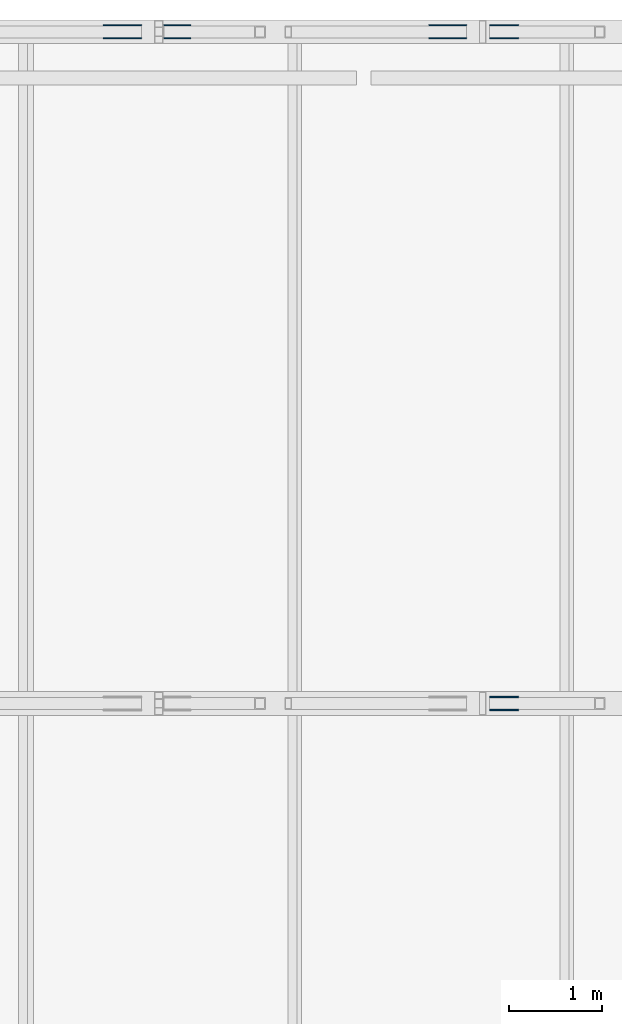
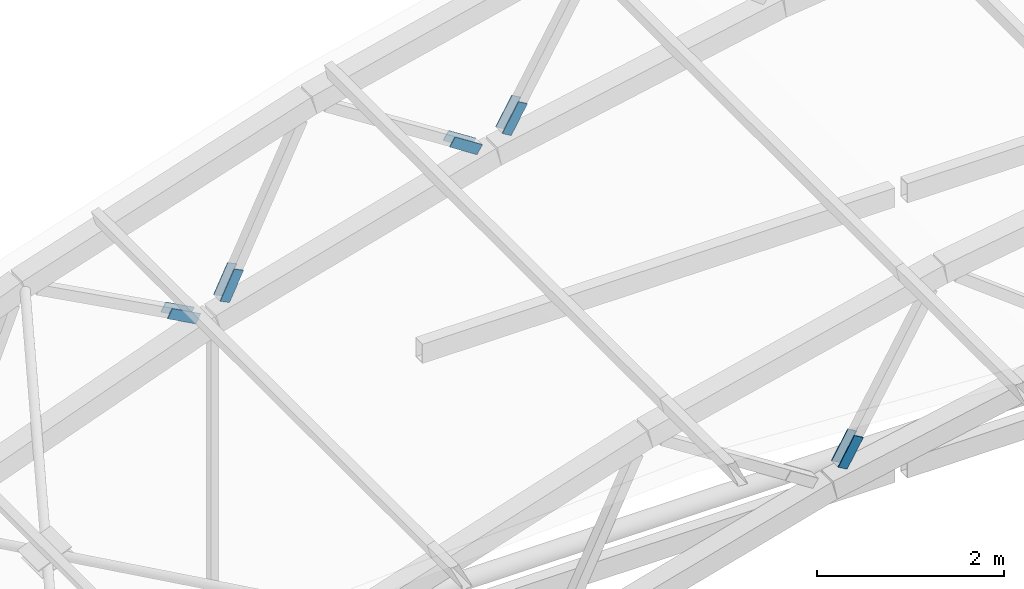
# One storey, part 110 of 127: 10 discrete accessories.
"""IFC4 building model written with IfcOpenShell, lengths in metres."""

from ifc_helpers import new_model, si_unit, direction, frame, origin, origin_2d, place, context, subcontext, project, spatial, rectangle, extrude, material, material_profile, profile_set, type_object, element, save


model = new_model("IFC4")

# Units and contexts
model_context = context("Model", 3, precision=1e-05, world=origin(), true_north=direction((0.0, 1.0)))
body_context = subcontext(model_context, "Body", "Model", "MODEL_VIEW")
ifc_project = project(units=[si_unit("LENGTHUNIT", "METRE"), si_unit("AREAUNIT", "SQUARE_METRE"), si_unit("VOLUMEUNIT", "CUBIC_METRE"), si_unit("PLANEANGLEUNIT", "RADIAN"), si_unit("MASSUNIT", "GRAM", prefix="KILO")], contexts=[model_context])

# Site, building, storey
site_placement = place(None, origin())
site = spatial("IfcSite", under=ifc_project, at=site_placement, CompositionType="ELEMENT")
building_placement = place(site_placement, origin())
building = spatial("IfcBuilding", under=site, at=building_placement, Name="Verrick Yard Athletic Hall", CompositionType="ELEMENT")
storey_placement = place(building_placement, frame((0.0, 0.0, 14.0)))
storey = spatial("IfcBuildingStorey", under=building, at=storey_placement, Name="L03", CompositionType="ELEMENT", Elevation=14.0)

# Discrete accessories
ifc_material = material(Name="Structural steel 350W (CSA G40.21)", Category="steel")
ifc_material_profile = material_profile(ifc_material, rectangle(XDim=0.39990234375, YDim=0.126953125, at=origin_2d()), Name="Brace end cheek plate")
ifc_profile_set = profile_set([ifc_material_profile], Name="Structural steel 350W (CSA G40.21)")
discrete_accessory_type = type_object("IfcDiscreteAccessoryType", Name="Brace end cheek plate 400x127x12", PredefinedType="BRACKET", material=ifc_profile_set)
for number, where, z_axis, x_axis, name in (
    (1, (135.10498046875, 100.863525390625, 5.877685546875), (0.0, 1.0, 0.0), (0.504596608522, 0.0, 0.863355235502), "Truss web end plate TA5-9 1"),
    (2, (135.10498046875, 100.736572265625, 5.877685546875), (0.0, -1.0, 0.0), (0.504596608522, 0.0, 0.863355235502), "Truss web end plate TA5-9 2"),
    (3, (131.01220703125, 107.9365234375, 4.725341796875), (0.0, -1.0, 0.0), (-0.880919955637, 0.0, 0.473265286876), "Truss web end plate TA6-6 1"),
    (4, (131.01220703125, 108.0634765625, 4.725341796875), (0.0, 1.0, 0.0), (-0.880919955637, 0.0, 0.473265286876), "Truss web end plate TA6-6 2"),
    (5, (131.602783203125, 108.0634765625, 4.9169921875), (0.0, 1.0, 0.0), (0.435417263932, 0.0, 0.90022875219), "Truss web end plate TA6-7 1"),
    (6, (131.602783203125, 107.9365234375, 4.9169921875), (0.0, -1.0, 0.0), (0.435417263932, 0.0, 0.90022875219), "Truss web end plate TA6-7 2"),
    (7, (134.501220703125, 107.9365234375, 5.73291015625), (0.0, -1.0, 0.0), (-0.841141186405, 0.0, 0.540815591984), "Truss web end plate TA6-8 1"),
    (8, (134.501220703125, 108.0634765625, 5.73291015625), (0.0, 1.0, 0.0), (-0.841141186405, 0.0, 0.540815591984), "Truss web end plate TA6-8 2"),
    (9, (135.10498046875, 108.0634765625, 5.877685546875), (0.0, 1.0, 0.0), (0.504596608522, 0.0, 0.863355235502), "Truss web end plate TA6-9 1"),
    (10, (135.10498046875, 107.9365234375, 5.877685546875), (0.0, -1.0, 0.0), (0.504596608522, 0.0, 0.863355235502), "Truss web end plate TA6-9 2"),
):
    element("IfcDiscreteAccessory", number, at=place(storey_placement, frame(where, z_axis=z_axis, x_axis=x_axis)), inside=storey, type_object=discrete_accessory_type, Name=name, PredefinedType="BRACKET", context=body_context, shape_type="SweptSolid", body=[
        extrude(rectangle(XDim=0.39990234375, YDim=0.126953125, at=origin_2d()), origin(), (0.0, 0.0, 1.0), 0.011962890625),
    ])

save(model, "model.ifc")
